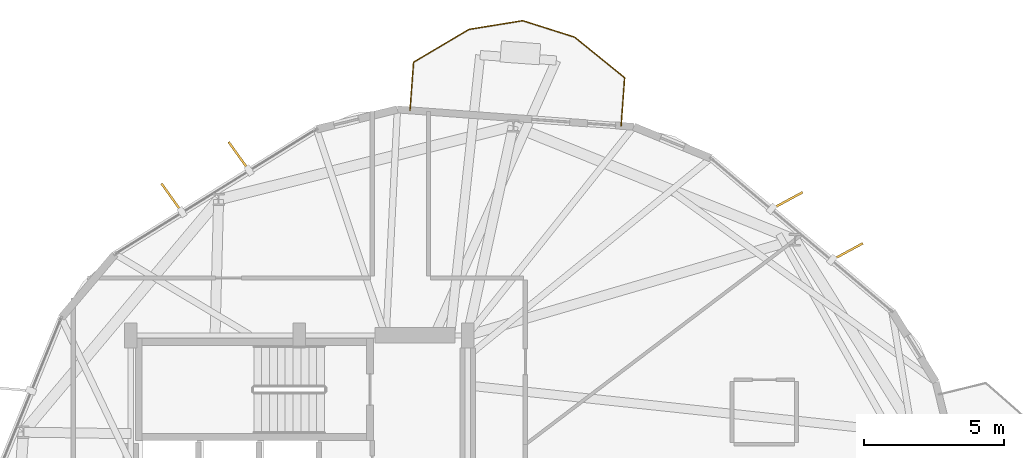
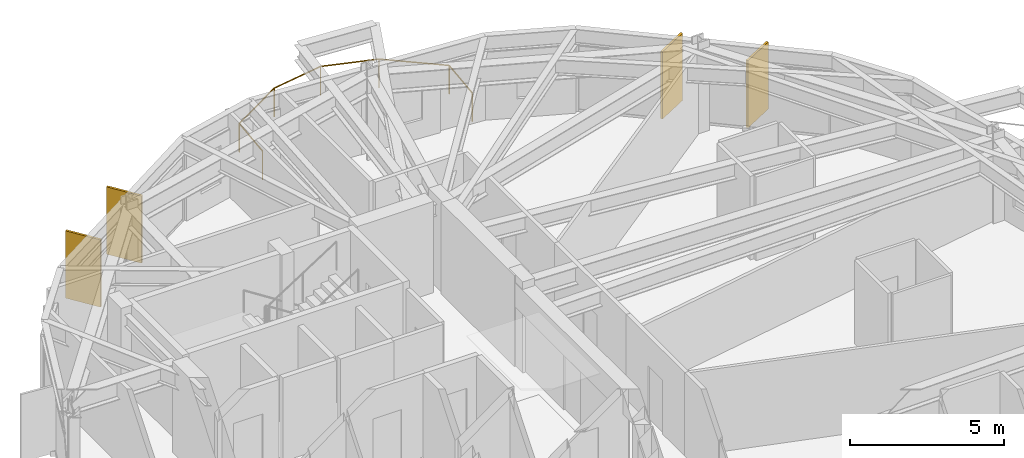
# One storey, part 21 of 21: 4 shading devices, 1 railing.
"""IFC4 building model written with IfcOpenShell, lengths in metres."""

from ifc_helpers import new_model, si_unit, direction, frame, origin, origin_2d, place, context, subcontext, project, spatial, rectangle, circle, extrude, material, layer, layer_set, type_object, element, save


model = new_model("IFC4")

# Units and contexts
model_context = context("Model", 3, precision=1e-05, world=origin(), true_north=direction((0.0, 1.0)))
body_context = subcontext(model_context, "Body", "Model", "MODEL_VIEW")
ifc_project = project(units=[si_unit("LENGTHUNIT", "METRE"), si_unit("AREAUNIT", "SQUARE_METRE"), si_unit("VOLUMEUNIT", "CUBIC_METRE"), si_unit("PLANEANGLEUNIT", "RADIAN"), si_unit("MASSUNIT", "GRAM", prefix="KILO")], contexts=[model_context])

# Site, building, storey
site_placement = place(None, origin())
site = spatial("IfcSite", under=ifc_project, at=site_placement, CompositionType="ELEMENT")
building_placement = place(site_placement, origin())
building = spatial("IfcBuilding", under=site, at=building_placement, Name="Soratama Intermodal Tower", CompositionType="ELEMENT")
storey_placement = place(building_placement, frame((0.0, 0.0, 153.39990234375)))
storey = spatial("IfcBuildingStorey", under=building, at=storey_placement, Name="L37", CompositionType="ELEMENT", Elevation=153.39990234375)

# Railing
ifc_material_1 = material(Name="Laminated glass and stainless steel balustrade", Category="steel")
railing_type = type_object("IfcRailingType", Name="RL-BAL-1150", PredefinedType="BALUSTRADE", material=ifc_material_1)
railing_placement = place(storey_placement, frame((42.542724609375, 43.016845703125, 0.0)))
element("IfcRailing", 1, at=railing_placement, inside=storey, type_object=railing_type, Name="L37 Balcony Balustrade 2", PredefinedType="BALUSTRADE", context=body_context, shape_type="SweptSolid", body=[
    extrude(circle(Radius=0.02392578125, at=origin_2d()), frame((0.0, 0.0, 1.1259765625), z_axis=(0.07324424156, 0.997314033331, 0.0), x_axis=(-0.997314033331, 0.07324424156, 0.0)), (0.0, 0.0, 1.0), 1.719970703125),
    extrude(circle(Radius=0.02392578125, at=origin_2d()), frame((0.1259765625, 1.71533203125, 1.1259765625), z_axis=(0.86059189979, 0.509295181615, 0.0), x_axis=(-0.509295181615, 0.86059189979, 0.0)), (0.0, 0.0, 1.0), 2.296142578125),
    extrude(circle(Radius=0.02392578125, at=origin_2d()), frame((2.10205078125, 2.884765625, 1.1259765625), z_axis=(0.987136127798, 0.159882035249, 0.0), x_axis=(-0.159882035249, 0.987136127798, 0.0)), (0.0, 0.0, 1.0), 1.937744140625),
    extrude(circle(Radius=0.02392578125, at=origin_2d()), frame((4.014892578125, 3.194580078125, 1.1259765625), z_axis=(0.95319344824, -0.302361125532, 0.0), x_axis=(0.302361125532, 0.95319344824, 0.0)), (0.0, 0.0, 1.0), 1.93798828125),
    extrude(circle(Radius=0.02392578125, at=origin_2d()), frame((5.862060546875, 2.608642578125, 1.1259765625), z_axis=(0.776984830694, -0.629519318902, 0.0), x_axis=(0.629519318902, 0.776984830694, 0.0)), (0.0, 0.0, 1.0), 2.29638671875),
    extrude(circle(Radius=0.02392578125, at=origin_2d()), frame((7.646240234375, 1.1630859375, 1.1259765625), z_axis=(-0.07324424156, -0.997314033331, 0.0), x_axis=(0.997314033331, -0.07324424156, 0.0)), (0.0, 0.0, 1.0), 1.719970703125),
    extrude(circle(Radius=0.02099609375, at=origin_2d()), origin(), (0.0, 0.0, 1.0), 1.101806640625),
    extrude(circle(Radius=0.02099609375, at=origin_2d()), frame((0.1259765625, 1.71533203125, 0.0)), (0.0, 0.0, 1.0), 1.101806640625),
    extrude(circle(Radius=0.02099609375, at=origin_2d()), frame((2.10205078125, 2.884765625, 0.0)), (0.0, 0.0, 1.0), 1.101806640625),
    extrude(circle(Radius=0.02099609375, at=origin_2d()), frame((4.014892578125, 3.194580078125, 0.0)), (0.0, 0.0, 1.0), 1.101806640625),
    extrude(circle(Radius=0.02099609375, at=origin_2d()), frame((5.862060546875, 2.608642578125, 0.0)), (0.0, 0.0, 1.0), 1.101806640625),
    extrude(circle(Radius=0.02099609375, at=origin_2d()), frame((7.646240234375, 1.1630859375, 0.0)), (0.0, 0.0, 1.0), 1.101806640625),
    extrude(circle(Radius=0.02099609375, at=origin_2d()), frame((7.520263671875, -0.55224609375, 0.0)), (0.0, 0.0, 1.0), 1.101806640625),
])

# Shading devices
ifc_material_2 = material(Name="Champagne anodised aluminium solar fin", Category="aluminium")
ifc_layer = layer(ifc_material_2, 0.080078125)
ifc_layer_set = layer_set([ifc_layer], Name="Champagne anodised aluminium solar fin")
shading_device_type = type_object("IfcShadingDeviceType", Name="SH-FIN-1250", PredefinedType="USERDEFINED", material=ifc_layer_set)
for number, where, z_axis, x_axis, name in (
    (2, (58.123291015625, 37.985595703125, 0.02001953125), (0.0, 0.0, 1.0), (0.87948249511, 0.475931235364, 0.0), "L37 Solar Fin F01-1"),
    (3, (55.974609375, 39.8017578125, 0.02001953125), (0.0, 0.0, 1.0), (0.87948249511, 0.475931235364, 0.0), "L37 Solar Fin F01-2"),
    (4, (36.44677734375, 41.384521484375, 0.02001953125), (0.0, 0.0, 1.0), (-0.58141318432, 0.813608449501, 0.0), "L37 Solar Fin F03-1"),
    (5, (34.0556640625, 39.90185546875, 0.02001953125), (0.0, 0.0, 1.0), (-0.58141318432, 0.813608449501, 0.0), "L37 Solar Fin F03-2"),
):
    element("IfcShadingDevice", number, at=place(storey_placement, frame(where, z_axis=z_axis, x_axis=x_axis)), inside=storey, type_object=shading_device_type, Name=name, ObjectType="FIN", PredefinedType="USERDEFINED", context=body_context, shape_type="SweptSolid", body=[
        extrude(rectangle(XDim=1.25, YDim=0.080078125, at=origin_2d()), origin(), (0.0, 0.0, 1.0), 2.658935546875),
    ])

save(model, "model.ifc")
